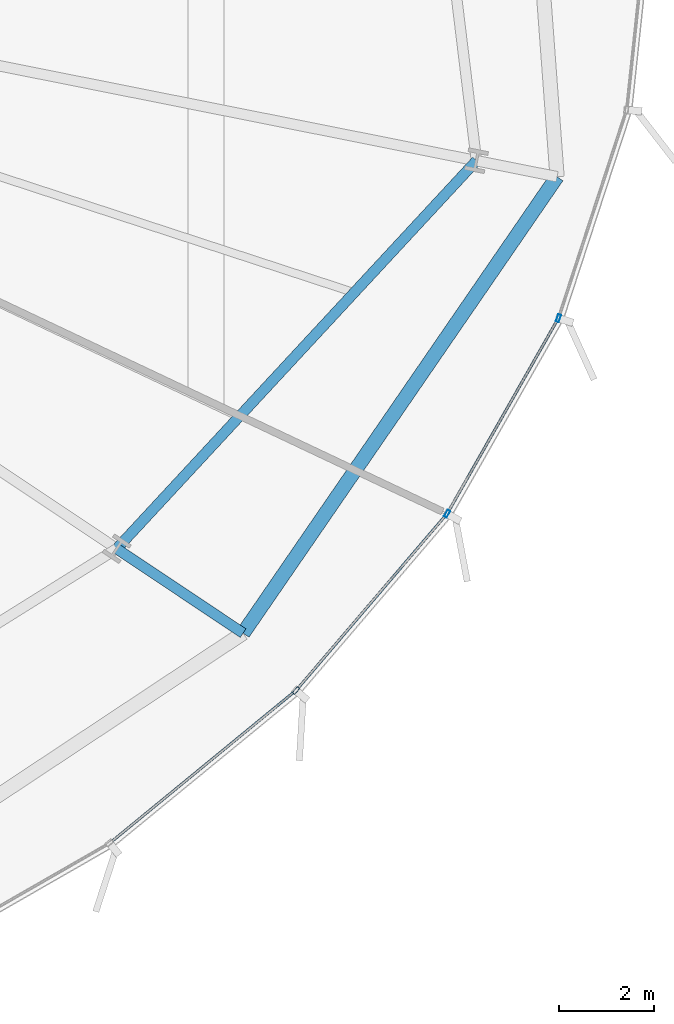
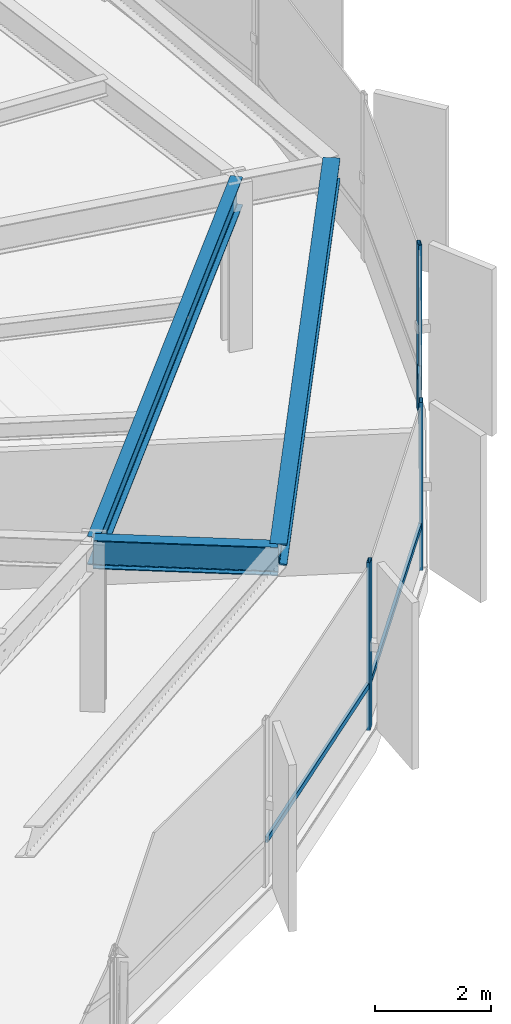
# One storey, part 23 of 38: 6 members, 3 beams, 1 element without a shape of its own.
"""IFC4 building model written with IfcOpenShell, lengths in metres."""

from ifc_helpers import new_model, si_unit, direction, frame, origin, origin_2d, place, context, subcontext, project, spatial, hollow_rectangle, i_section, extrude, source, transform, mapped, material, layer, layer_set, material_profile, profile_set, type_object, element, aggregate, save


model = new_model("IFC4")

# Units and contexts
model_context = context("Model", 3, precision=1e-05, world=origin(), true_north=direction((0.0, 1.0)))
body_context = subcontext(model_context, "Body", "Model", "MODEL_VIEW")
ifc_project = project(units=[si_unit("LENGTHUNIT", "METRE"), si_unit("AREAUNIT", "SQUARE_METRE"), si_unit("VOLUMEUNIT", "CUBIC_METRE"), si_unit("PLANEANGLEUNIT", "RADIAN"), si_unit("MASSUNIT", "GRAM", prefix="KILO"), si_unit("THERMODYNAMICTEMPERATUREUNIT", "KELVIN")], contexts=[model_context])

# Site, building, storey
site_placement = place(None, origin())
site = spatial("IfcSite", under=ifc_project, at=site_placement, CompositionType="ELEMENT")
building_placement = place(site_placement, origin())
building = spatial("IfcBuilding", under=site, at=building_placement, Name="Kethvar Cultural Tower", CompositionType="ELEMENT")
storey_placement = place(building_placement, frame((0.0, 0.0, 29.60009765625)))
storey = spatial("IfcBuildingStorey", under=building, at=storey_placement, Name="L06", CompositionType="ELEMENT", Elevation=29.60009765625)

# Beams
ifc_material_1 = material(Name="Steel S355J2", Category="steel")
ifc_material_profile_1 = material_profile(ifc_material_1, i_section(OverallWidth=0.219970703125, OverallDepth=0.60009765625, WebThickness=0.011962890625, FlangeThickness=0.01904296875, FilletRadius=0.02392578125, at=origin_2d()), Name="Steel S355J2 — IPE600")
ifc_profile_set_1 = profile_set([ifc_material_profile_1], Name="Steel S355J2 — IPE600")
beam_type_1 = type_object("IfcBeamType", Name="BM-IPE600", PredefinedType="BEAM", material=ifc_profile_set_1)
shared_shape_1 = source(origin(), body_context, "Body", "SweptSolid", [
    extrude(i_section(OverallWidth=0.219970703125, OverallDepth=0.60009765625, WebThickness=0.011962890625, FlangeThickness=0.01904296875, FilletRadius=0.02392578125, at=origin_2d()), origin(), (0.0, 0.0, 1.0), 3.19970703125),
])
beam_1_placement = place(storey_placement, frame((67.41845703125, 14.023193359375, 3.247802734375), z_axis=(0.831498187863, -0.55552746429, 0.0), x_axis=(0.55552746429, 0.831498187863, 0.0)))
element("IfcBeam", 1, at=beam_1_placement, inside=storey, type_object=beam_type_1, Name="L06 Perimeter Cantilever Beam RC-15", PredefinedType="BEAM", context=body_context, shape_type="MappedRepresentation", body=[
    mapped(shared_shape_1, transform((0.0, 0.0, 0.0), scale=1.0)),
])
shared_shape_2 = source(origin(), body_context, "Body", "SweptSolid", [
    extrude(i_section(OverallWidth=0.219970703125, OverallDepth=0.60009765625, WebThickness=0.011962890625, FlangeThickness=0.01904296875, FilletRadius=0.02392578125, at=origin_2d()), origin(), (0.0, 0.0, 1.0), 11.13916015625),
])
beam_2_placement = place(storey_placement, frame((67.41845703125, 14.023193359375, 3.247802734375), z_axis=(0.679827924457, 0.73337166098, 0.0), x_axis=(-0.73337166098, 0.679827924457, 0.0)))
element("IfcBeam", 2, at=beam_2_placement, inside=storey, type_object=beam_type_1, Name="L06 Column Ring Tie Beam CR-15", PredefinedType="BEAM", context=body_context, shape_type="MappedRepresentation", body=[
    mapped(shared_shape_2, transform((0.0, 0.0, 0.0), scale=1.0)),
])
ifc_material_profile_2 = material_profile(ifc_material_1, i_section(OverallWidth=0.300048828125, OverallDepth=0.449951171875, WebThickness=0.013916015625, FlangeThickness=0.02587890625, FilletRadius=0.027099609375, at=origin_2d()), Name="Steel S355J2 — HEB450")
ifc_profile_set_2 = profile_set([ifc_material_profile_2], Name="Steel S355J2 — HEB450")
beam_type_2 = type_object("IfcBeamType", Name="BM-SP450", PredefinedType="SPANDREL", material=ifc_profile_set_2)
shared_shape_3 = source(origin(), body_context, "Body", "SweptSolid", [
    extrude(i_section(OverallWidth=0.300048828125, OverallDepth=0.449951171875, WebThickness=0.013916015625, FlangeThickness=0.02587890625, FilletRadius=0.027099609375, at=origin_2d()), origin(), (0.0, 0.0, 1.0), 11.66259765625),
])
beam_3_placement = place(storey_placement, frame((70.0791015625, 12.24560546875, 3.322998046875), z_axis=(0.566670962643, 0.823944185062, 0.0), x_axis=(-0.823944185062, 0.566670962643, 0.0)))
element("IfcBeam", 3, at=beam_3_placement, inside=storey, type_object=beam_type_2, Name="L06 Perimeter Spandrel Beam SP-15", PredefinedType="SPANDREL", context=body_context, shape_type="MappedRepresentation", body=[
    mapped(shared_shape_3, transform((0.0, 0.0, 0.0), scale=1.0)),
])

# Curtain wall, members
ifc_material_2 = material(Name="Aluminium 6063-T6", Category="aluminium")
ifc_layer = layer(ifc_material_2, 0.179931640625, Name="Aluminium 6063-T6", Category="aluminium")
ifc_layer_set = layer_set([ifc_layer], Name="Aluminium 6063-T6 (180 mm)")
curtain_wall_type = type_object("IfcCurtainWallType", Name="CW-SYS-02-Z1", PredefinedType="NOTDEFINED", material=ifc_layer_set)
curtain_wall_placement = place(storey_placement, origin())
curtain_wall = element("IfcCurtainWall", 4, at=curtain_wall_placement, inside=storey, type_object=curtain_wall_type, Name="L06 Curtain Wall Run 06", PredefinedType="NOTDEFINED")
ifc_material_profile_3 = material_profile(ifc_material_2, hollow_rectangle(XDim=0.06494140625, YDim=0.159912109375, WallThickness=0.0048828125, at=origin_2d()), Name="Aluminium 6063-T6 — RHS160x65x5")
ifc_profile_set_3 = profile_set([ifc_material_profile_3], Name="Aluminium 6063-T6 — RHS160x65x5")
member_type_1 = type_object("IfcMemberType", Name="CW-SYS-02-Z1-MUL", PredefinedType="MULLION", material=ifc_profile_set_3)
shared_shape_4 = source(origin(), body_context, "Body", "SweptSolid", [
    extrude(hollow_rectangle(XDim=0.06494140625, YDim=0.159912109375, WallThickness=0.0048828125, at=origin_2d()), origin(), (0.0, 0.0, 1.0), 3.5498046875),
])
member_1_placement = place(storey_placement, frame((71.191650390625, 11.036865234375, 0.0), z_axis=(0.0, 0.0, 1.0), x_axis=(-0.760371959537, 0.649487862203, 0.0)))
member_1 = element("IfcMember", 5, at=member_1_placement, type_object=member_type_1, Name="CW-L06-R06 Mullion 3", PredefinedType="MULLION", context=body_context, shape_type="MappedRepresentation", body=[
    mapped(shared_shape_4, transform((0.0, 0.0, 0.0), scale=1.0)),
])
member_2_placement = place(storey_placement, frame((74.373779296875, 14.75927734375, 0.0), z_axis=(0.0, 0.0, 1.0), x_axis=(-0.869218924729, 0.494427407101, 0.0)))
member_2 = element("IfcMember", 6, at=member_2_placement, type_object=member_type_1, Name="CW-L06-R06 Mullion 4", PredefinedType="MULLION", context=body_context, shape_type="MappedRepresentation", body=[
    mapped(shared_shape_4, transform((0.0, 0.0, 0.0), scale=1.0)),
])
member_3_placement = place(storey_placement, frame((76.718505859375, 18.87646484375, 0.0), z_axis=(0.0, 0.0, 1.0), x_axis=(-0.950510309156, 0.310693019213, 0.0)))
member_3 = element("IfcMember", 7, at=member_3_placement, type_object=member_type_1, Name="CW-L06-R06 Mullion 5", PredefinedType="MULLION", context=body_context, shape_type="MappedRepresentation", body=[
    mapped(shared_shape_4, transform((0.0, 0.0, 0.0), scale=1.0)),
])
ifc_material_profile_4 = material_profile(ifc_material_2, hollow_rectangle(XDim=0.054931640625, YDim=0.1201171875, WallThickness=0.00390625, at=origin_2d()), Name="Aluminium 6063-T6 — RHS120x55x4")
ifc_profile_set_4 = profile_set([ifc_material_profile_4], Name="Aluminium 6063-T6 — RHS120x55x4")
member_type_2 = type_object("IfcMemberType", Name="CW-SYS-02-Z1-TRN", PredefinedType="USERDEFINED", material=ifc_profile_set_4)
shared_shape_5 = source(origin(), body_context, "Body", "SweptSolid", [
    extrude(hollow_rectangle(XDim=0.054931640625, YDim=0.1201171875, WallThickness=0.00390625, at=origin_2d()), origin(), (0.0, 0.0, 1.0), 4.66845703125),
])
member_4_placement = place(storey_placement, frame((74.39697265625, 14.800048828125, 0.949951171875), z_axis=(0.494414578096, 0.869226221973, 0.0), x_axis=(-0.869226221973, 0.494414578096, 0.0)))
member_4 = element("IfcMember", 8, at=member_4_placement, type_object=member_type_2, Name="CW-L06-R06 Transom 4", ObjectType="TRANSOM", PredefinedType="USERDEFINED", context=body_context, shape_type="MappedRepresentation", body=[
    mapped(shared_shape_5, transform((0.0, 0.0, 0.0), scale=1.0)),
])
shared_shape_6 = source(origin(), body_context, "Body", "SweptSolid", [
    extrude(hollow_rectangle(XDim=0.054931640625, YDim=0.1201171875, WallThickness=0.00390625, at=origin_2d()), origin(), (0.0, 0.0, 1.0), 4.826416015625),
])
member_5_placement = place(storey_placement, frame((71.221923828125, 11.072509765625, 0.949951171875), z_axis=(0.649490724394, 0.760369514727, 0.0), x_axis=(-0.760369514727, 0.649490724394, 0.0)))
member_5 = element("IfcMember", 9, at=member_5_placement, type_object=member_type_2, Name="CW-L06-R06 Transom 3", ObjectType="TRANSOM", PredefinedType="USERDEFINED", context=body_context, shape_type="MappedRepresentation", body=[
    mapped(shared_shape_6, transform((0.0, 0.0, 0.0), scale=1.0)),
])
shared_shape_7 = source(origin(), body_context, "Body", "SweptSolid", [
    extrude(hollow_rectangle(XDim=0.054931640625, YDim=0.1201171875, WallThickness=0.00390625, at=origin_2d()), origin(), (0.0, 0.0, 1.0), 5.000244140625),
])
member_6_placement = place(storey_placement, frame((67.3037109375, 7.85205078125, 0.949951171875), z_axis=(0.773319499298, 0.634016523449, 0.0), x_axis=(-0.634016523449, 0.773319499298, 0.0)))
member_6 = element("IfcMember", 10, at=member_6_placement, type_object=member_type_2, Name="CW-L06-R06 Transom 2", ObjectType="TRANSOM", PredefinedType="USERDEFINED", context=body_context, shape_type="MappedRepresentation", body=[
    mapped(shared_shape_7, transform((0.0, 0.0, 0.0), scale=1.0)),
])
aggregate(curtain_wall, [member_1, member_2, member_3, member_6, member_5, member_4])

save(model, "model.ifc")
